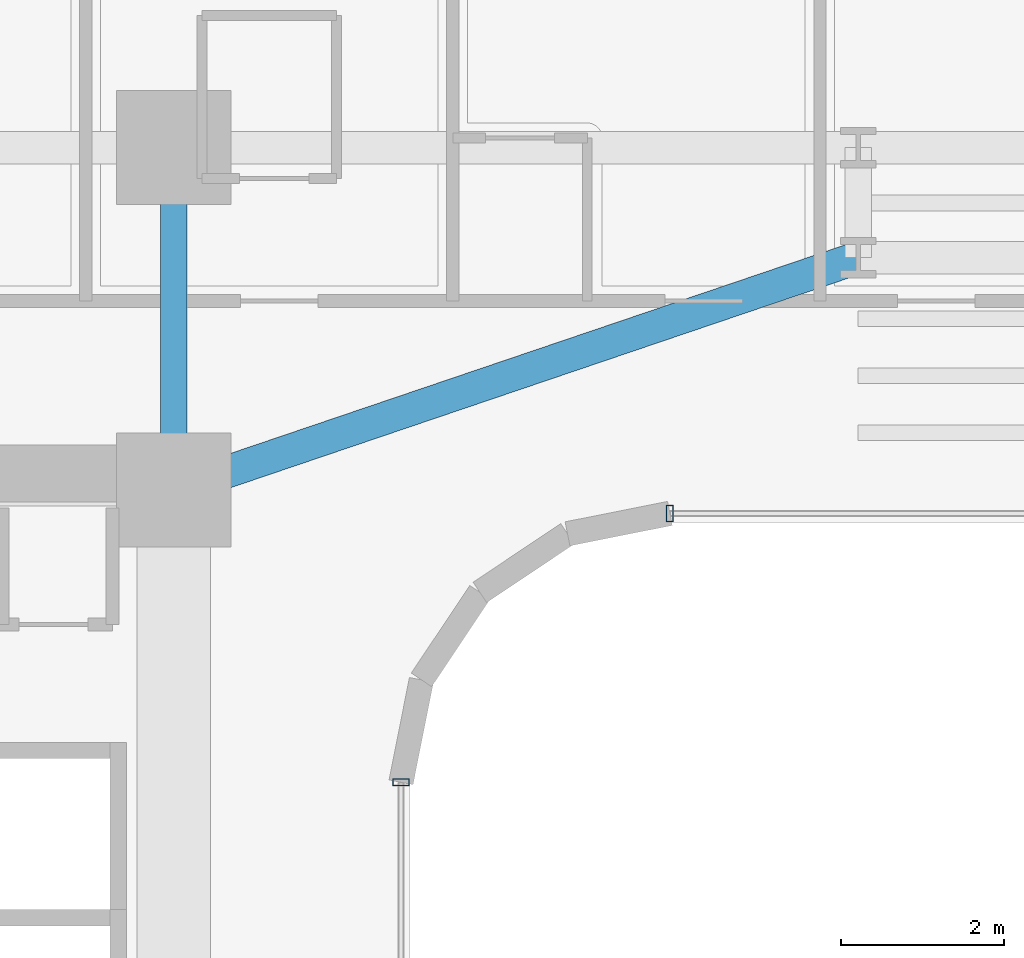
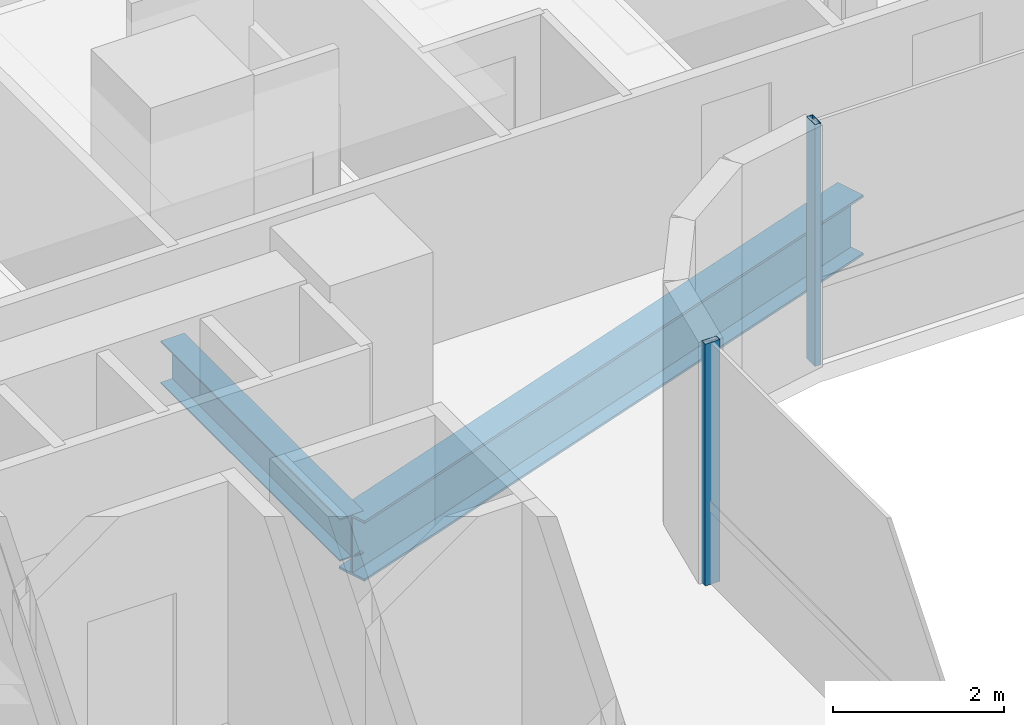
# One storey, part 12 of 40: 2 beams, 2 members, 2 elements without a shape of their own.
"""IFC4 building model written with IfcOpenShell, lengths in metres."""

import ifcopenshell
import ifcopenshell.guid

model = None  # the IFC model being written
_history = None  # IfcOwnerHistory: only IFC2X3 demands one
_inside = {}  # id of a spatial element -> (the spatial element, [elements in it])
_under = {}  # id of a project, library or spatial element -> (it, [spatial elements below it])
_declared = {}  # id of a project -> (the project, [libraries it declares])
_typed = {}  # id of a type object -> (the type object, [elements of that type])
_made_of = {}  # id of a material, layer set ... -> (it, [elements and type objects made of it])


def new_model(schema):
    """Start an empty IFC model of exactly this schema.

    Asked for "IFC4X3", IfcOpenShell would pick the latest addendum, in which some entities
    have other attributes; the version numbers below select the first issue.
    IFC2X3 requires an IfcOwnerHistory on every rooted entity: one is made here for all.
    """
    global model, _history
    if schema == "IFC4X3":
        model = ifcopenshell.file(schema_version=(4, 3, 0, 0))
    else:
        model = ifcopenshell.file(schema=schema)
    _inside.clear()
    _under.clear()
    _declared.clear()
    _typed.clear()
    _made_of.clear()
    _history = None
    if model.schema == "IFC2X3":
        org = make("IfcOrganization", Name="unknown")
        user = make(
            "IfcPersonAndOrganization",
            ThePerson=make("IfcPerson", FamilyName="unknown"),
            TheOrganization=org,
        )
        app = make(
            "IfcApplication",
            ApplicationDeveloper=org,
            Version="unknown",
            ApplicationFullName="unknown",
            ApplicationIdentifier="unknown",
        )
        _history = make(
            "IfcOwnerHistory",
            OwningUser=user,
            OwningApplication=app,
            ChangeAction="ADDED",
            CreationDate=0,
        )
    return model


def make(cls, **values):
    """One entity of the class cls with the attributes given. An attribute that is None is left unset."""
    return model.create_entity(
        cls, **{name: value for name, value in values.items() if value is not None}
    )


def rooted(cls, **values):
    """An entity with a GlobalId (a new one), such as an element, a storey or a relation."""
    return make(cls, GlobalId=ifcopenshell.guid.new(), OwnerHistory=_history, **values)


def si_unit(unit_type, name, prefix=None):
    """IfcSIUnit, for example si_unit("LENGTHUNIT", "METRE", prefix="MILLI")."""
    return make("IfcSIUnit", UnitType=unit_type, Prefix=prefix, Name=name)


def assignment(units):
    """IfcUnitAssignment: the units of a project."""
    return None if units is None else make("IfcUnitAssignment", Units=units)


def point(xyz):
    """IfcCartesianPoint."""
    return None if xyz is None else make("IfcCartesianPoint", Coordinates=xyz)


def direction(xyz):
    """IfcDirection."""
    return None if xyz is None else make("IfcDirection", DirectionRatios=xyz)


def frame(location, z_axis=None, x_axis=None):
    """IfcAxis2Placement3D, a coordinate frame: its origin and axes. An axis left out is left unset."""
    return make(
        "IfcAxis2Placement3D",
        Location=point(location),
        Axis=direction(z_axis),
        RefDirection=direction(x_axis),
    )


def frame_2d(location, x_axis=None):
    """IfcAxis2Placement2D, a coordinate frame in the plane: its origin and x axis."""
    return make(
        "IfcAxis2Placement2D", Location=point(location), RefDirection=direction(x_axis)
    )


def origin():
    """The frame at (0, 0, 0) with its axes left unset."""
    return frame((0.0, 0.0, 0.0))


def origin_2d():
    """The frame at (0, 0) in the plane with its x axis left unset."""
    return frame_2d((0.0, 0.0))


def place(relative_to, where):
    """IfcLocalPlacement: puts the frame where relative to a parent placement (None: the world)."""
    return make(
        "IfcLocalPlacement", PlacementRelTo=relative_to, RelativePlacement=where
    )


def context(
    kind, dimensions, precision=None, world=None, true_north=None, identifier=None
):
    """IfcGeometricRepresentationContext, for example the 3D "Model" context."""
    return make(
        "IfcGeometricRepresentationContext",
        ContextIdentifier=identifier,
        ContextType=kind,
        CoordinateSpaceDimension=dimensions,
        Precision=precision,
        WorldCoordinateSystem=world,
        TrueNorth=true_north,
    )


def subcontext(parent, identifier, kind, view, scale=None):
    """IfcGeometricRepresentationSubContext, for example "Body" below "Model"."""
    return make(
        "IfcGeometricRepresentationSubContext",
        ContextIdentifier=identifier,
        ContextType=kind,
        ParentContext=parent,
        TargetScale=scale,
        TargetView=view,
    )


def project(units=None, contexts=None):
    """IfcProject with its units and contexts."""
    return rooted(
        "IfcProject",
        Name="project",
        RepresentationContexts=contexts,
        UnitsInContext=assignment(units),
    )


def spatial(cls, under=None, at=None, **own):
    """A site, building, storey or space (cls), placed at a placement, below another one or the project."""
    s = rooted(cls, ObjectPlacement=at, **own)
    if under is not None:
        _under.setdefault(under.id(), (under, []))[1].append(s)
    return s


def profile(cls, at=None, kind="AREA", **sizes):
    """A parametric profile (cls). Its sizes go by their IFC names, for example OverallWidth=200.0."""
    return make(cls, ProfileType=kind, Position=at, **sizes)


def hollow_rectangle(**sizes):
    """IfcRectangleHollowProfileDef."""
    return profile("IfcRectangleHollowProfileDef", **sizes)


def i_section(**sizes):
    """IfcIShapeProfileDef."""
    return profile("IfcIShapeProfileDef", **sizes)


def extrude(swept, where, along, depth):
    """IfcExtrudedAreaSolid: the profile swept, set in the frame where, extruded along a direction by depth."""
    return make(
        "IfcExtrudedAreaSolid",
        SweptArea=swept,
        Position=where,
        ExtrudedDirection=direction(along),
        Depth=depth,
    )


def shape(context_of_items, identifier, shape_type, items):
    """IfcShapeRepresentation: the items that make up one representation, for example the "Body"."""
    return make(
        "IfcShapeRepresentation",
        ContextOfItems=context_of_items,
        RepresentationIdentifier=identifier,
        RepresentationType=shape_type,
        Items=items,
    )


def source(mapping_origin, context_of_items, identifier, shape_type, items):
    """IfcRepresentationMap: a shape defined once, which mapped items show again and again."""
    return make(
        "IfcRepresentationMap",
        MappingOrigin=mapping_origin,
        MappedRepresentation=shape(context_of_items, identifier, shape_type, items),
    )


def transform(
    local_origin,
    x_axis=None,
    y_axis=None,
    z_axis=None,
    scale=None,
    scale2=None,
    scale3=None,
    uniform=True,
):
    """IfcCartesianTransformationOperator3D, or its non-uniform kind. x_axis, y_axis, z_axis: its Axis1, 2, 3."""
    if uniform:
        return make(
            "IfcCartesianTransformationOperator3D",
            Axis1=direction(x_axis),
            Axis2=direction(y_axis),
            LocalOrigin=point(local_origin),
            Scale=scale,
            Axis3=direction(z_axis),
        )
    return make(
        "IfcCartesianTransformationOperator3DnonUniform",
        Axis1=direction(x_axis),
        Axis2=direction(y_axis),
        LocalOrigin=point(local_origin),
        Scale=scale,
        Axis3=direction(z_axis),
        Scale2=scale2,
        Scale3=scale3,
    )


def mapped(mapping_source, mapping_target):
    """IfcMappedItem: shows the shape of a source again, moved by a transform."""
    return make(
        "IfcMappedItem", MappingSource=mapping_source, MappingTarget=mapping_target
    )


def material(Name=None, Category=None):
    """IfcMaterial."""
    return make("IfcMaterial", Name=Name, Category=Category)


def material_profile(
    of_material, cross_section, Name=None, Category=None, Priority=None
):
    """IfcMaterialProfile: a cross section and its material."""
    return make(
        "IfcMaterialProfile",
        Name=Name,
        Material=of_material,
        Profile=cross_section,
        Priority=Priority,
        Category=Category,
    )


def profile_set(profiles, Name=None, composite=None):
    """IfcMaterialProfileSet."""
    return make(
        "IfcMaterialProfileSet",
        Name=Name,
        MaterialProfiles=profiles,
        CompositeProfile=composite,
    )


def made_of(thing, what):
    """Note that an element or type object is made of a material, layer set ...; save() writes the relation."""
    if what is not None:
        _made_of.setdefault(what.id(), (what, []))[1].append(thing)
    return thing


def type_object(cls, material=None, **own):
    """A type object (cls), such as IfcWallType, which elements share."""
    return made_of(rooted(cls, **own), material)


def element(
    cls,
    number,
    at=None,
    inside=None,
    cuts=None,
    type_object=None,
    material=None,
    context=None,
    identifier="Body",
    shape_type=None,
    held_by="IfcProductDefinitionShape",
    body=None,
    shapes=None,
    **own,
):
    """One element of the class cls, such as IfcWall. Its Tag is "e" and its number.

    at: its placement. inside: the storey or other place that contains it. cuts: it is an
    opening in that element (IfcRelVoidsElement). A single representation is given by context,
    identifier, shape_type and body (its items); several are given by shapes. held_by: the class
    of the entity that holds the representations. save() writes the other relations.
    """
    e = rooted(cls, Tag="e%d" % number, ObjectPlacement=at, **own)
    if body is not None:
        shapes = [shape(context, identifier, shape_type, body)]
    if shapes is not None:
        e.Representation = make(held_by, Representations=shapes)
    if inside is not None:
        _inside.setdefault(inside.id(), (inside, []))[1].append(e)
    if cuts is not None:
        rooted(
            "IfcRelVoidsElement", RelatingBuildingElement=cuts, RelatedOpeningElement=e
        )
    if type_object is not None:
        _typed.setdefault(type_object.id(), (type_object, []))[1].append(e)
    return made_of(e, material)


def aggregate(whole, parts):
    """IfcRelAggregates: a whole, such as a stair, and the parts it consists of."""
    return rooted("IfcRelAggregates", RelatingObject=whole, RelatedObjects=parts)


def save(model, path):
    """Write the relations noted so far, then the file.

    IfcRelAggregates (storeys below a building ...), IfcRelContainedInSpatialStructure (elements
    in a storey), IfcRelDefinesByType, IfcRelAssociatesMaterial and IfcRelDeclares: one each for
    every whole, place, type object, material and project.
    """
    for whole, parts in _under.values():
        aggregate(whole, parts)
    for where, things in _inside.values():
        rooted(
            "IfcRelContainedInSpatialStructure",
            RelatedElements=things,
            RelatingStructure=where,
        )
    for kind, things in _typed.values():
        rooted("IfcRelDefinesByType", RelatedObjects=things, RelatingType=kind)
    for what, things in _made_of.values():
        rooted("IfcRelAssociatesMaterial", RelatedObjects=things, RelatingMaterial=what)
    for by, libraries in _declared.values():
        rooted("IfcRelDeclares", RelatingContext=by, RelatedDefinitions=libraries)
    model.write(path)


model = new_model("IFC4")

# Units and contexts
model_context = context("Model", 3, precision=1e-05, world=origin(), true_north=direction((0.0, 1.0)))
body_context = subcontext(model_context, "Body", "Model", "MODEL_VIEW")
ifc_project = project(units=[si_unit("LENGTHUNIT", "METRE"), si_unit("AREAUNIT", "SQUARE_METRE"), si_unit("VOLUMEUNIT", "CUBIC_METRE"), si_unit("PLANEANGLEUNIT", "RADIAN"), si_unit("MASSUNIT", "GRAM", prefix="KILO")], contexts=[model_context])

# Site, building, storey
site_placement = place(None, origin())
site = spatial("IfcSite", under=ifc_project, at=site_placement, CompositionType="ELEMENT")
building_placement = place(site_placement, origin())
building = spatial("IfcBuilding", under=site, at=building_placement, Name="Valdorenza Pilgrim Sanctuary Tower", CompositionType="ELEMENT")
storey_placement = place(building_placement, frame((0.0, 0.0, 92.60009765625)))
storey = spatial("IfcBuildingStorey", under=building, at=storey_placement, Name="L23", CompositionType="ELEMENT", Elevation=92.60009765625)

# Beams
ifc_material_1 = material(Name="Steel ASTM A992 Grade 50", Category="steel")
ifc_material_profile_1 = material_profile(ifc_material_1, i_section(OverallWidth=0.323974609375, OverallDepth=0.611083984375, WebThickness=0.0126953125, FlangeThickness=0.01904296875, at=origin_2d()), Name="W24X104")
ifc_profile_set_1 = profile_set([ifc_material_profile_1], Name="Steel ASTM A992 Grade 50")
beam_type_1 = type_object("IfcBeamType", Name="STR-BM-GRD-W24B", PredefinedType="BEAM", material=ifc_profile_set_1)
shared_shape_1 = source(origin(), body_context, "Body", "SweptSolid", [
    extrude(i_section(OverallWidth=0.323974609375, OverallDepth=0.611083984375, WebThickness=0.0126953125, FlangeThickness=0.01904296875, at=origin_2d()), origin(), (0.0, 0.0, 1.0), 4.199951171875),
])
beam_1_placement = place(storey_placement, frame((-12.39990234375, 10.60009765625, -0.545654296875), z_axis=(0.0, 1.0, 0.0), x_axis=(-1.0, 0.0, 0.0)))
element("IfcBeam", 1, at=beam_1_placement, inside=storey, type_object=beam_type_1, Name="L23 Core Tie Girder CA-E-N1N2", PredefinedType="BEAM", context=body_context, shape_type="MappedRepresentation", body=[
    mapped(shared_shape_1, transform((0.0, 0.0, 0.0), x_axis=(1.0, 0.0, 0.0), y_axis=(0.0, 1.0, 0.0), z_axis=(0.0, 0.0, 1.0), scale=1.0)),
])
ifc_material_profile_2 = material_profile(ifc_material_1, i_section(OverallWidth=0.39990234375, OverallDepth=0.862060546875, WebThickness=0.019775390625, FlangeThickness=0.032470703125, at=origin_2d()), Name="W33X221")
ifc_profile_set_2 = profile_set([ifc_material_profile_2], Name="Steel ASTM A992 Grade 50")
beam_type_2 = type_object("IfcBeamType", Name="STR-BM-GRD-W33", PredefinedType="BEAM", material=ifc_profile_set_2)
shared_shape_2 = source(origin(), body_context, "Body", "SweptSolid", [
    extrude(i_section(OverallWidth=0.39990234375, OverallDepth=0.862060546875, WebThickness=0.019775390625, FlangeThickness=0.032470703125, at=origin_2d()), origin(), (0.0, 0.0, 1.0), 8.8701171875),
])
beam_2_placement = place(storey_placement, frame((-12.39990234375, 10.60009765625, -0.671142578125), z_axis=(0.946982588361, 0.321284885018, 0.0), x_axis=(-0.321284885018, 0.946982588361, 0.0)))
element("IfcBeam", 2, at=beam_2_placement, inside=storey, type_object=beam_type_2, Name="L23 Floor Girder KNK-G1", PredefinedType="BEAM", context=body_context, shape_type="MappedRepresentation", body=[
    mapped(shared_shape_2, transform((0.0, 0.0, 0.0), x_axis=(1.0, 0.0, 0.0), y_axis=(0.0, 1.0, 0.0), z_axis=(0.0, 0.0, 1.0), scale=1.0)),
])

# Curtain wall, member
ifc_material_2 = material(Name="Curtain-wall IGU glazing", Category="glass")
curtain_wall_type = type_object("IfcCurtainWallType", Name="CW-SYS-02", PredefinedType="NOTDEFINED", material=ifc_material_2)
curtain_wall_1_placement = place(storey_placement, origin())
curtain_wall_1 = element("IfcCurtainWall", 3, at=curtain_wall_1_placement, inside=storey, type_object=curtain_wall_type, Name="L23 Curtain Wall CW-L23-1-36", PredefinedType="NOTDEFINED")
ifc_material_3 = material(Name="Anodised aluminium AW-6060", Category="aluminium")
ifc_material_profile_3 = material_profile(ifc_material_3, hollow_rectangle(XDim=0.0849609375, YDim=0.199951171875, WallThickness=0.0048828125, at=origin_2d()), Name="ALU-M 200x85x5")
ifc_profile_set_3 = profile_set([ifc_material_profile_3], Name="Anodised aluminium AW-6060")
member_type = type_object("IfcMemberType", Name="CW-MUL-02", PredefinedType="MULLION", material=ifc_profile_set_3)
shared_shape_3 = source(origin(), body_context, "Body", "SweptSolid", [
    extrude(hollow_rectangle(XDim=0.0849609375, YDim=0.199951171875, WallThickness=0.0048828125, at=origin_2d()), origin(), (0.0, 0.0, 1.0), 3.4599609375),
])
member_1_placement = place(storey_placement, frame((-6.310791015625, 10.31005859375, 0.0), z_axis=(0.0, 0.0, 1.0), x_axis=(-1.0, 0.0, 0.0)))
member_1 = element("IfcMember", 4, at=member_1_placement, type_object=member_type, Name="CW-L23-1-36 Mullion 4", PredefinedType="MULLION", context=body_context, shape_type="MappedRepresentation", body=[
    mapped(shared_shape_3, transform((0.0, 0.0, 0.0), x_axis=(1.0, 0.0, 0.0), y_axis=(0.0, 1.0, 0.0), z_axis=(0.0, 0.0, 1.0), scale=1.0)),
])
aggregate(curtain_wall_1, [member_1])

curtain_wall_2_placement = place(storey_placement, origin())
curtain_wall_2 = element("IfcCurtainWall", 5, at=curtain_wall_2_placement, inside=storey, type_object=curtain_wall_type, Name="L23 Curtain Wall CW-L23-1-41", PredefinedType="NOTDEFINED")
member_2_placement = place(storey_placement, frame((-9.610107421875, 7.0107421875, 0.0), z_axis=(0.0, 0.0, 1.0), x_axis=(0.0, -1.0, 0.0)))
member_2 = element("IfcMember", 6, at=member_2_placement, type_object=member_type, Name="CW-L23-1-41 Mullion 1", PredefinedType="MULLION", context=body_context, shape_type="MappedRepresentation", body=[
    mapped(shared_shape_3, transform((0.0, 0.0, 0.0), x_axis=(1.0, 0.0, 0.0), y_axis=(0.0, 1.0, 0.0), z_axis=(0.0, 0.0, 1.0), scale=1.0)),
])
aggregate(curtain_wall_2, [member_2])

save(model, "model.ifc")
